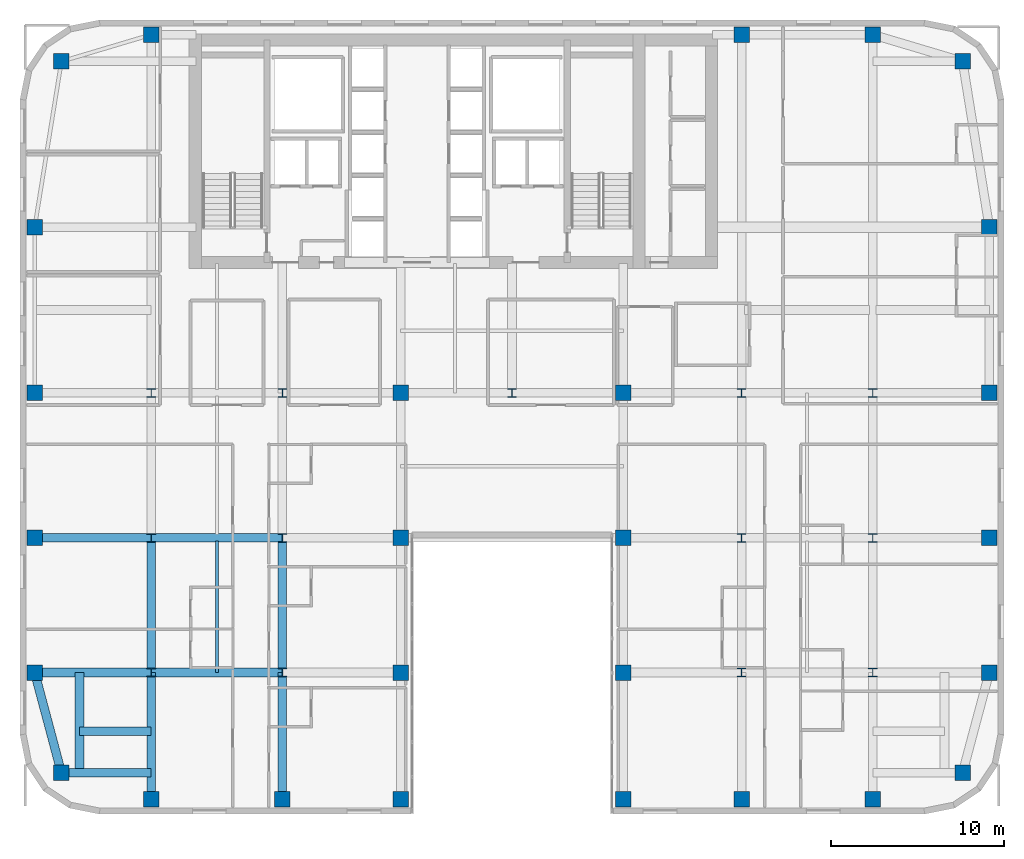
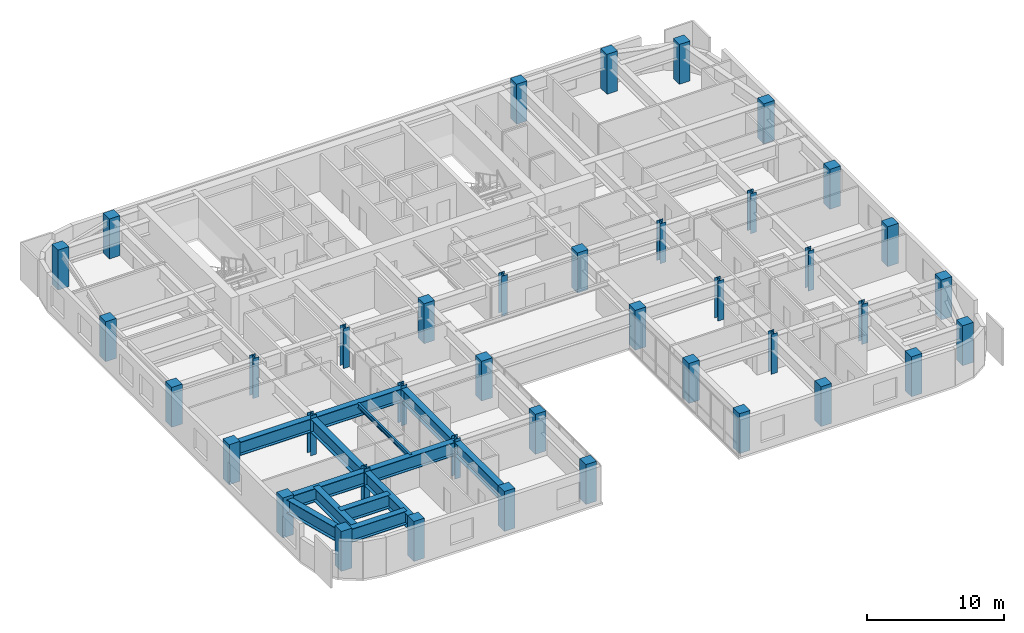
# One storey, part 1 of 15: 40 columns, 13 beams.
"""IFC4 building model written with IfcOpenShell, lengths in metres."""

from ifc_helpers import new_model, si_unit, direction, frame, origin, origin_2d, place, context, subcontext, project, spatial, rectangle, i_section, extrude, source, transform, mapped, material, material_profile, profile_set, type_object, type_shapes, element, save


model = new_model("IFC4")

# Units and contexts
model_context = context("Model", 3, precision=1e-05, world=origin(), true_north=direction((0.0, 1.0)))
body_context = subcontext(model_context, "Body", "Model", "MODEL_VIEW")
ifc_project = project(units=[si_unit("LENGTHUNIT", "METRE"), si_unit("AREAUNIT", "SQUARE_METRE"), si_unit("VOLUMEUNIT", "CUBIC_METRE"), si_unit("PLANEANGLEUNIT", "RADIAN"), si_unit("MASSUNIT", "GRAM", prefix="KILO")], contexts=[model_context])

# Site, building, storey
site_placement = place(None, origin())
site = spatial("IfcSite", under=ifc_project, at=site_placement, CompositionType="ELEMENT")
building_placement = place(site_placement, origin())
building = spatial("IfcBuilding", under=site, at=building_placement, Name="Tolvann Quenvar Hotel", CompositionType="ELEMENT")
storey_placement = place(building_placement, frame((0.0, 0.0, 143.5)))
storey = spatial("IfcBuildingStorey", under=building, at=storey_placement, Name="L37", CompositionType="ELEMENT", Elevation=143.5)

# Columns
ifc_material_1 = material(Name="Concrete S65 (65 MPa)", Category="concrete")
ifc_material_profile_1 = material_profile(ifc_material_1, rectangle(XDim=0.89990234375, YDim=0.89990234375, at=origin_2d()), Name="RC900x900")
ifc_profile_set_1 = profile_set([ifc_material_profile_1], Name="Concrete S65 (65 MPa)")
column_type_1 = type_object("IfcColumnType", Name="COL_RC900", PredefinedType="COLUMN", material=ifc_profile_set_1)
shared_shape_1 = source(origin(), body_context, "Body", "SweptSolid", [
    extrude(rectangle(XDim=0.89990234375, YDim=0.89990234375, at=origin_2d()), origin(), (0.0, 0.0, 1.0), 3.550048828125),
])
type_shapes(column_type_1, [shared_shape_1])
for number, where, z_axis, x_axis, name in (
    (1, (2.39990234375, 2.39990234375, 0.0), (0.0, 0.0, 1.0), (1.0, 0.0, 0.0), "Column B2 (L37)"),
    (2, (0.85009765625, 8.199951171875, 0.0), (0.0, 0.0, 1.0), (1.0, 0.0, 0.0), "Column B3 (L37)"),
    (3, (0.85009765625, 16.0, 0.0), (0.0, 0.0, 1.0), (1.0, 0.0, 0.0), "Column B4 (L37)"),
    (4, (0.85009765625, 24.39990234375, 0.0), (0.0, 0.0, 1.0), (1.0, 0.0, 0.0), "Column B5 (L37)"),
    (5, (7.60009765625, 0.85009765625, 0.0), (0.0, 0.0, 1.0), (1.0, 0.0, 0.0), "Column C2 (L37)"),
    (6, (15.199951171875, 0.85009765625, 0.0), (0.0, 0.0, 1.0), (1.0, 0.0, 0.0), "Column D2 (L37)"),
    (7, (22.050048828125, 0.85009765625, 0.0), (0.0, 0.0, 1.0), (1.0, 0.0, 0.0), "Column E2 (L37)"),
    (8, (22.050048828125, 8.199951171875, 0.0), (0.0, 0.0, 1.0), (1.0, 0.0, 0.0), "Column E3 (L37)"),
    (9, (22.050048828125, 16.0, 0.0), (0.0, 0.0, 1.0), (1.0, 0.0, 0.0), "Column E4 (L37)"),
    (10, (22.050048828125, 24.39990234375, 0.0), (0.0, 0.0, 1.0), (1.0, 0.0, 0.0), "Column E5 (L37)"),
    (11, (34.949951171875, 0.85009765625, 0.0), (0.0, 0.0, 1.0), (1.0, 0.0, 0.0), "Column F2 (L37)"),
    (12, (34.949951171875, 8.199951171875, 0.0), (0.0, 0.0, 1.0), (1.0, 0.0, 0.0), "Column F3 (L37)"),
    (13, (34.949951171875, 16.0, 0.0), (0.0, 0.0, 1.0), (1.0, 0.0, 0.0), "Column F4 (L37)"),
    (14, (34.949951171875, 24.39990234375, 0.0), (0.0, 0.0, 1.0), (1.0, 0.0, 0.0), "Column F5 (L37)"),
    (15, (41.800048828125, 0.85009765625, 0.0), (0.0, 0.0, 1.0), (1.0, 0.0, 0.0), "Column H2 (L37)"),
    (16, (49.39990234375, 0.85009765625, 0.0), (0.0, 0.0, 1.0), (1.0, 0.0, 0.0), "Column I2 (L37)"),
    (17, (54.60009765625, 2.39990234375, 0.0), (0.0, 0.0, 1.0), (1.0, 0.0, 0.0), "Column J2 (L37)"),
    (18, (56.14990234375, 8.199951171875, 0.0), (0.0, 0.0, 1.0), (1.0, 0.0, 0.0), "Column J3 (L37)"),
    (19, (56.14990234375, 16.0, 0.0), (0.0, 0.0, 1.0), (1.0, 0.0, 0.0), "Column J4 (L37)"),
    (20, (56.14990234375, 24.39990234375, 0.0), (0.0, 0.0, 1.0), (1.0, 0.0, 0.0), "Column J5 (L37)"),
    (21, (2.39990234375, 43.60009765625, 0.0), (0.0, 0.0, 1.0), (1.0, 0.0, 0.0), "Column BN (L37)"),
    (22, (7.60009765625, 45.14990234375, 0.0), (0.0, 0.0, 1.0), (1.0, 0.0, 0.0), "Column CN (L37)"),
    (23, (0.85009765625, 34.0, 0.0), (0.0, 0.0, 1.0), (1.0, 0.0, 0.0), "Column BD6 (L37)"),
    (24, (41.800048828125, 45.14990234375, 0.0), (0.0, 0.0, 1.0), (1.0, 0.0, 0.0), "Column HN (L37)"),
    (25, (49.39990234375, 45.14990234375, 0.0), (0.0, 0.0, 1.0), (1.0, 0.0, 0.0), "Column IN (L37)"),
    (26, (54.60009765625, 43.60009765625, 0.0), (0.0, 0.0, 1.0), (1.0, 0.0, 0.0), "Column JN (L37)"),
    (27, (56.14990234375, 34.0, 0.0), (0.0, 0.0, 1.0), (1.0, 0.0, 0.0), "Column JD6 (L37)"),
):
    element("IfcColumn", number, at=place(storey_placement, frame(where, z_axis=z_axis, x_axis=x_axis)), inside=storey, type_object=column_type_1, Name=name, PredefinedType="COLUMN", context=body_context, shape_type="MappedRepresentation", body=[
        mapped(shared_shape_1, transform((0.0, 0.0, 0.0), x_axis=(1.0, 0.0, 0.0), y_axis=(0.0, 1.0, 0.0), z_axis=(0.0, 0.0, 1.0), scale=1.0)),
    ])
ifc_material_2 = material(Name="Steel Grade 350", Category="steel")
ifc_material_profile_2 = material_profile(ifc_material_2, i_section(OverallWidth=0.5, OverallDepth=0.5, WebThickness=0.02197265625, FlangeThickness=0.033935546875, at=origin_2d()), Name="500WC340")
ifc_profile_set_2 = profile_set([ifc_material_profile_2], Name="Steel Grade 350")
column_type_2 = type_object("IfcColumnType", Name="COL_500WC340", PredefinedType="COLUMN", material=ifc_profile_set_2)
shared_shape_2 = source(origin(), body_context, "Body", "SweptSolid", [
    extrude(i_section(OverallWidth=0.5, OverallDepth=0.5, WebThickness=0.02197265625, FlangeThickness=0.033935546875, at=origin_2d()), origin(), (0.0, 0.0, 1.0), 3.550048828125),
])
type_shapes(column_type_2, [shared_shape_2])
for number, where, z_axis, x_axis, name in (
    (28, (7.60009765625, 8.199951171875, 0.0), (0.0, 0.0, 1.0), (1.0, 0.0, 0.0), "Column C3 (L37)"),
    (29, (7.60009765625, 16.0, 0.0), (0.0, 0.0, 1.0), (1.0, 0.0, 0.0), "Column C4 (L37)"),
    (30, (7.60009765625, 24.39990234375, 0.0), (0.0, 0.0, 1.0), (1.0, 0.0, 0.0), "Column C5 (L37)"),
    (31, (15.199951171875, 8.199951171875, 0.0), (0.0, 0.0, 1.0), (1.0, 0.0, 0.0), "Column D3 (L37)"),
    (32, (15.199951171875, 16.0, 0.0), (0.0, 0.0, 1.0), (1.0, 0.0, 0.0), "Column D4 (L37)"),
    (33, (15.199951171875, 24.39990234375, 0.0), (0.0, 0.0, 1.0), (1.0, 0.0, 0.0), "Column D5 (L37)"),
    (34, (41.800048828125, 8.199951171875, 0.0), (0.0, 0.0, 1.0), (1.0, 0.0, 0.0), "Column H3 (L37)"),
    (35, (41.800048828125, 16.0, 0.0), (0.0, 0.0, 1.0), (1.0, 0.0, 0.0), "Column H4 (L37)"),
    (36, (41.800048828125, 24.39990234375, 0.0), (0.0, 0.0, 1.0), (1.0, 0.0, 0.0), "Column H5 (L37)"),
    (37, (49.39990234375, 8.199951171875, 0.0), (0.0, 0.0, 1.0), (1.0, 0.0, 0.0), "Column I3 (L37)"),
    (38, (49.39990234375, 16.0, 0.0), (0.0, 0.0, 1.0), (1.0, 0.0, 0.0), "Column I4 (L37)"),
    (39, (49.39990234375, 24.39990234375, 0.0), (0.0, 0.0, 1.0), (1.0, 0.0, 0.0), "Column I5 (L37)"),
    (40, (28.5, 24.39990234375, 0.0), (0.0, 0.0, 1.0), (1.0, 0.0, 0.0), "Column M5 (L37)"),
):
    element("IfcColumn", number, at=place(storey_placement, frame(where, z_axis=z_axis, x_axis=x_axis)), inside=storey, type_object=column_type_2, Name=name, PredefinedType="COLUMN", context=body_context, shape_type="MappedRepresentation", body=[
        mapped(shared_shape_2, transform((0.0, 0.0, 0.0), x_axis=(1.0, 0.0, 0.0), y_axis=(0.0, 1.0, 0.0), z_axis=(0.0, 0.0, 1.0), scale=1.0)),
    ])

# Beams
ifc_material_profile_3 = material_profile(ifc_material_2, i_section(OverallWidth=0.5, OverallDepth=1.199951171875, WebThickness=0.01611328125, FlangeThickness=0.0400390625, at=origin_2d()), Name="1200WB455")
ifc_profile_set_3 = profile_set([ifc_material_profile_3], Name="Steel Grade 350")
beam_type_1 = type_object("IfcBeamType", Name="BM_TG_1200WB455", PredefinedType="USERDEFINED", material=ifc_profile_set_3)
shared_shape_3 = source(origin(), body_context, "Body", "SweptSolid", [
    extrude(i_section(OverallWidth=0.5, OverallDepth=1.199951171875, WebThickness=0.01611328125, FlangeThickness=0.0400390625, at=origin_2d()), origin(), (0.0, 0.0, 1.0), 7.349853515625),
])
for number, where, z_axis, x_axis, name in (
    (41, (7.60009765625, 0.85009765625, 2.68994140625), (0.0, 1.0, 0.0), (-1.0, 0.0, 0.0), "TG-L37-NS-C23"),
    (42, (15.199951171875, 0.85009765625, 2.68994140625), (0.0, 1.0, 0.0), (-1.0, 0.0, 0.0), "Setback Transfer Girder L37-D2"),
):
    element("IfcBeam", number, at=place(storey_placement, frame(where, z_axis=z_axis, x_axis=x_axis)), inside=storey, type_object=beam_type_1, Name=name, ObjectType="TRANSFER GIRDER", PredefinedType="USERDEFINED", context=body_context, shape_type="MappedRepresentation", body=[
        mapped(shared_shape_3, transform((0.0, 0.0, 0.0), x_axis=(1.0, 0.0, 0.0), y_axis=(0.0, 1.0, 0.0), z_axis=(0.0, 0.0, 1.0), scale=1.0)),
    ])
shared_shape_4 = source(origin(), body_context, "Body", "SweptSolid", [
    extrude(i_section(OverallWidth=0.5, OverallDepth=1.199951171875, WebThickness=0.01611328125, FlangeThickness=0.0400390625, at=origin_2d()), origin(), (0.0, 0.0, 1.0), 6.75),
])
for number, where, z_axis, x_axis, name in (
    (43, (0.85009765625, 8.199951171875, 2.68994140625), (1.0, 0.0, 0.0), (0.0, 1.0, 0.0), "TG-L37-W82"),
    (44, (0.85009765625, 16.0, 2.68994140625), (1.0, 0.0, 0.0), (0.0, 1.0, 0.0), "TG-L37-W16"),
):
    element("IfcBeam", number, at=place(storey_placement, frame(where, z_axis=z_axis, x_axis=x_axis)), inside=storey, type_object=beam_type_1, Name=name, ObjectType="TRANSFER GIRDER", PredefinedType="USERDEFINED", context=body_context, shape_type="MappedRepresentation", body=[
        mapped(shared_shape_4, transform((0.0, 0.0, 0.0), x_axis=(1.0, 0.0, 0.0), y_axis=(0.0, 1.0, 0.0), z_axis=(0.0, 0.0, 1.0), scale=1.0)),
    ])
shared_shape_5 = source(origin(), body_context, "Body", "SweptSolid", [
    extrude(i_section(OverallWidth=0.5, OverallDepth=1.199951171875, WebThickness=0.01611328125, FlangeThickness=0.0400390625, at=origin_2d()), origin(), (0.0, 0.0, 1.0), 7.599853515625),
])
for number, where, z_axis, x_axis, name in (
    (45, (7.60009765625, 8.199951171875, 2.68994140625), (1.0, 0.0, 0.0), (0.0, 1.0, 0.0), "BM-L37-EW-3-C3-D3"),
    (46, (7.60009765625, 16.0, 2.68994140625), (1.0, 0.0, 0.0), (0.0, 1.0, 0.0), "BM-L37-EW-4-C4-D4"),
):
    element("IfcBeam", number, at=place(storey_placement, frame(where, z_axis=z_axis, x_axis=x_axis)), inside=storey, type_object=beam_type_1, Name=name, ObjectType="TRANSFER GIRDER", PredefinedType="USERDEFINED", context=body_context, shape_type="MappedRepresentation", body=[
        mapped(shared_shape_5, transform((0.0, 0.0, 0.0), x_axis=(1.0, 0.0, 0.0), y_axis=(0.0, 1.0, 0.0), z_axis=(0.0, 0.0, 1.0), scale=1.0)),
    ])
shared_shape_6 = source(origin(), body_context, "Body", "SweptSolid", [
    extrude(i_section(OverallWidth=0.5, OverallDepth=1.199951171875, WebThickness=0.01611328125, FlangeThickness=0.0400390625, at=origin_2d()), origin(), (0.0, 0.0, 1.0), 5.800048828125),
])
beam_1_placement = place(storey_placement, frame((3.449951171875, 2.39990234375, 2.68994140625), z_axis=(0.0, 1.0, 0.0), x_axis=(-1.0, 0.0, 0.0)))
element("IfcBeam", 47, at=beam_1_placement, inside=storey, type_object=beam_type_1, Name="TG-L37-S345", ObjectType="TRANSFER GIRDER", PredefinedType="USERDEFINED", context=body_context, shape_type="MappedRepresentation", body=[
    mapped(shared_shape_6, transform((0.0, 0.0, 0.0), x_axis=(1.0, 0.0, 0.0), y_axis=(0.0, 1.0, 0.0), z_axis=(0.0, 0.0, 1.0), scale=1.0)),
])
shared_shape_7 = source(origin(), body_context, "Body", "SweptSolid", [
    extrude(i_section(OverallWidth=0.5, OverallDepth=1.199951171875, WebThickness=0.01611328125, FlangeThickness=0.0400390625, at=origin_2d()), origin(), (0.0, 0.0, 1.0), 5.2001953125),
])
beam_2_placement = place(storey_placement, frame((2.39990234375, 2.39990234375, 2.68994140625), z_axis=(1.0, 0.0, 0.0), x_axis=(0.0, 1.0, 0.0)))
element("IfcBeam", 48, at=beam_2_placement, inside=storey, type_object=beam_type_1, Name="TG-L37-S240W", ObjectType="TRANSFER GIRDER", PredefinedType="USERDEFINED", context=body_context, shape_type="MappedRepresentation", body=[
    mapped(shared_shape_7, transform((0.0, 0.0, 0.0), x_axis=(1.0, 0.0, 0.0), y_axis=(0.0, 1.0, 0.0), z_axis=(0.0, 0.0, 1.0), scale=1.0)),
])
shared_shape_8 = source(origin(), body_context, "Body", "SweptSolid", [
    extrude(i_section(OverallWidth=0.5, OverallDepth=1.199951171875, WebThickness=0.01611328125, FlangeThickness=0.0400390625, at=origin_2d()), origin(), (0.0, 0.0, 1.0), 6.00341796875),
])
beam_3_placement = place(storey_placement, frame((2.39990234375, 2.39990234375, 2.68994140625), z_axis=(-0.258148586649, 0.966105225745, 0.0), x_axis=(-0.966105225745, -0.258148586649, 0.0)))
element("IfcBeam", 49, at=beam_3_placement, inside=storey, type_object=beam_type_1, Name="TG-L37-NS-B23", ObjectType="TRANSFER GIRDER", PredefinedType="USERDEFINED", context=body_context, shape_type="MappedRepresentation", body=[
    mapped(shared_shape_8, transform((0.0, 0.0, 0.0), x_axis=(1.0, 0.0, 0.0), y_axis=(0.0, 1.0, 0.0), z_axis=(0.0, 0.0, 1.0), scale=1.0)),
])
shared_shape_9 = source(origin(), body_context, "Body", "SweptSolid", [
    extrude(i_section(OverallWidth=0.5, OverallDepth=1.199951171875, WebThickness=0.01611328125, FlangeThickness=0.0400390625, at=origin_2d()), origin(), (0.0, 0.0, 1.0), 4.150146484375),
])
beam_4_placement = place(storey_placement, frame((3.449951171875, 4.800048828125, 2.68994140625), z_axis=(1.0, 0.0, 0.0), x_axis=(0.0, 1.0, 0.0)))
element("IfcBeam", 50, at=beam_4_placement, inside=storey, type_object=beam_type_1, Name="TG-L37-B2", ObjectType="TRANSFER GIRDER", PredefinedType="USERDEFINED", context=body_context, shape_type="MappedRepresentation", body=[
    mapped(shared_shape_9, transform((0.0, 0.0, 0.0), x_axis=(1.0, 0.0, 0.0), y_axis=(0.0, 1.0, 0.0), z_axis=(0.0, 0.0, 1.0), scale=1.0)),
])
shared_shape_10 = source(origin(), body_context, "Body", "SweptSolid", [
    extrude(i_section(OverallWidth=0.5, OverallDepth=1.199951171875, WebThickness=0.01611328125, FlangeThickness=0.0400390625, at=origin_2d()), origin(), (0.0, 0.0, 1.0), 7.800048828125),
])
type_shapes(beam_type_1, [shared_shape_3, shared_shape_4, shared_shape_5, shared_shape_6, shared_shape_7, shared_shape_8, shared_shape_9, shared_shape_10])
for number, where, z_axis, x_axis, name in (
    (51, (7.60009765625, 8.199951171875, 2.68994140625), (0.0, 1.0, 0.0), (-1.0, 0.0, 0.0), "BM-L37-NS-C3-C4"),
    (52, (15.199951171875, 8.199951171875, 2.68994140625), (0.0, 1.0, 0.0), (-1.0, 0.0, 0.0), "BM-L37-NS-D3-D4"),
):
    element("IfcBeam", number, at=place(storey_placement, frame(where, z_axis=z_axis, x_axis=x_axis)), inside=storey, type_object=beam_type_1, Name=name, ObjectType="TRANSFER GIRDER", PredefinedType="USERDEFINED", context=body_context, shape_type="MappedRepresentation", body=[
        mapped(shared_shape_10, transform((0.0, 0.0, 0.0), x_axis=(1.0, 0.0, 0.0), y_axis=(0.0, 1.0, 0.0), z_axis=(0.0, 0.0, 1.0), scale=1.0)),
    ])
ifc_material_profile_4 = material_profile(ifc_material_2, i_section(OverallWidth=0.177978515625, OverallDepth=0.406005859375, WebThickness=0.0078125, FlangeThickness=0.0126953125, FilletRadius=0.011474609375, at=origin_2d()), Name="410UB60")
ifc_profile_set_4 = profile_set([ifc_material_profile_4], Name="Steel Grade 350")
beam_type_2 = type_object("IfcBeamType", Name="BM_JOIST_410UB60", PredefinedType="JOIST", material=ifc_profile_set_4)
shared_shape_11 = source(origin(), body_context, "Body", "SweptSolid", [
    extrude(i_section(OverallWidth=0.177978515625, OverallDepth=0.406005859375, WebThickness=0.0078125, FlangeThickness=0.0126953125, FilletRadius=0.011474609375, at=origin_2d()), origin(), (0.0, 0.0, 1.0), 7.614990234375),
])
type_shapes(beam_type_2, [shared_shape_11])
beam_5_placement = place(storey_placement, frame((11.39990234375, 8.199951171875, 3.0869140625), z_axis=(0.0, 1.0, 0.0), x_axis=(-1.0, 0.0, 0.0)))
element("IfcBeam", 53, at=beam_5_placement, inside=storey, type_object=beam_type_2, Name="BJ-L37-114-82", PredefinedType="JOIST", context=body_context, shape_type="MappedRepresentation", body=[
    mapped(shared_shape_11, transform((0.0, 0.0, 0.0), x_axis=(1.0, 0.0, 0.0), y_axis=(0.0, 1.0, 0.0), z_axis=(0.0, 0.0, 1.0), scale=1.0)),
])

save(model, "model.ifc")
